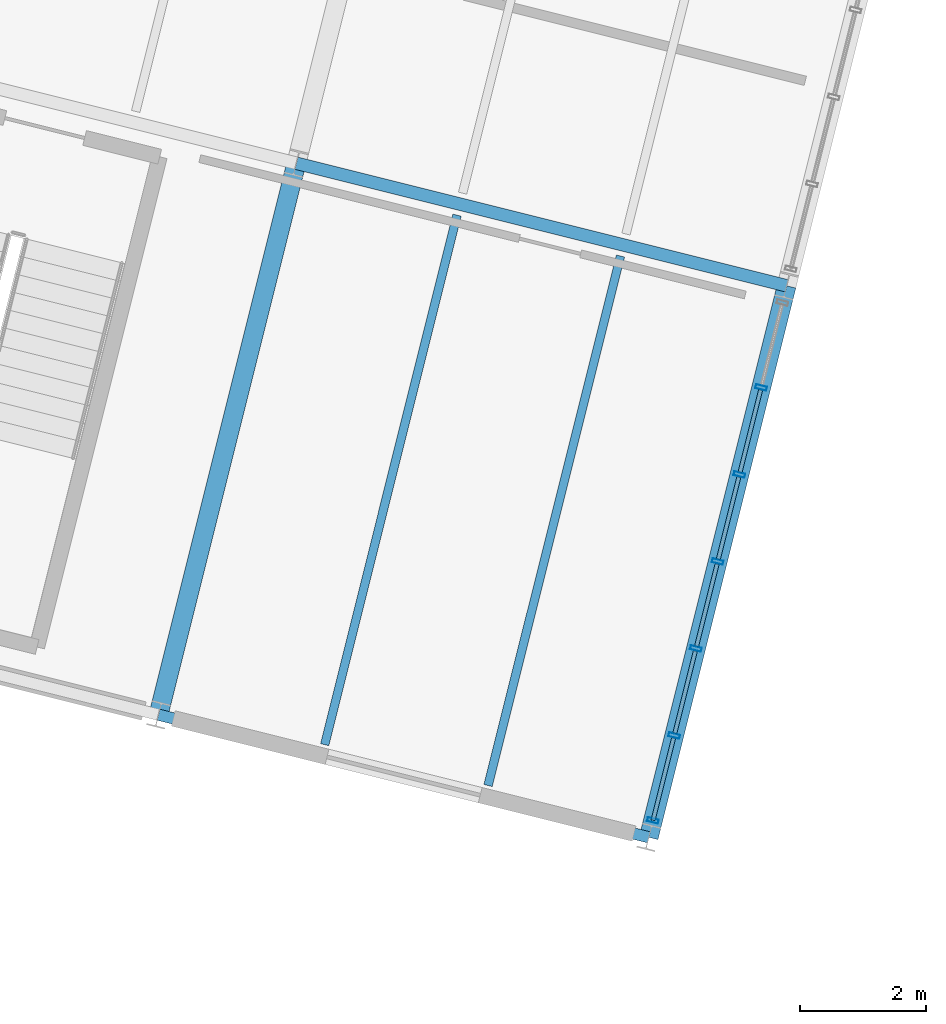
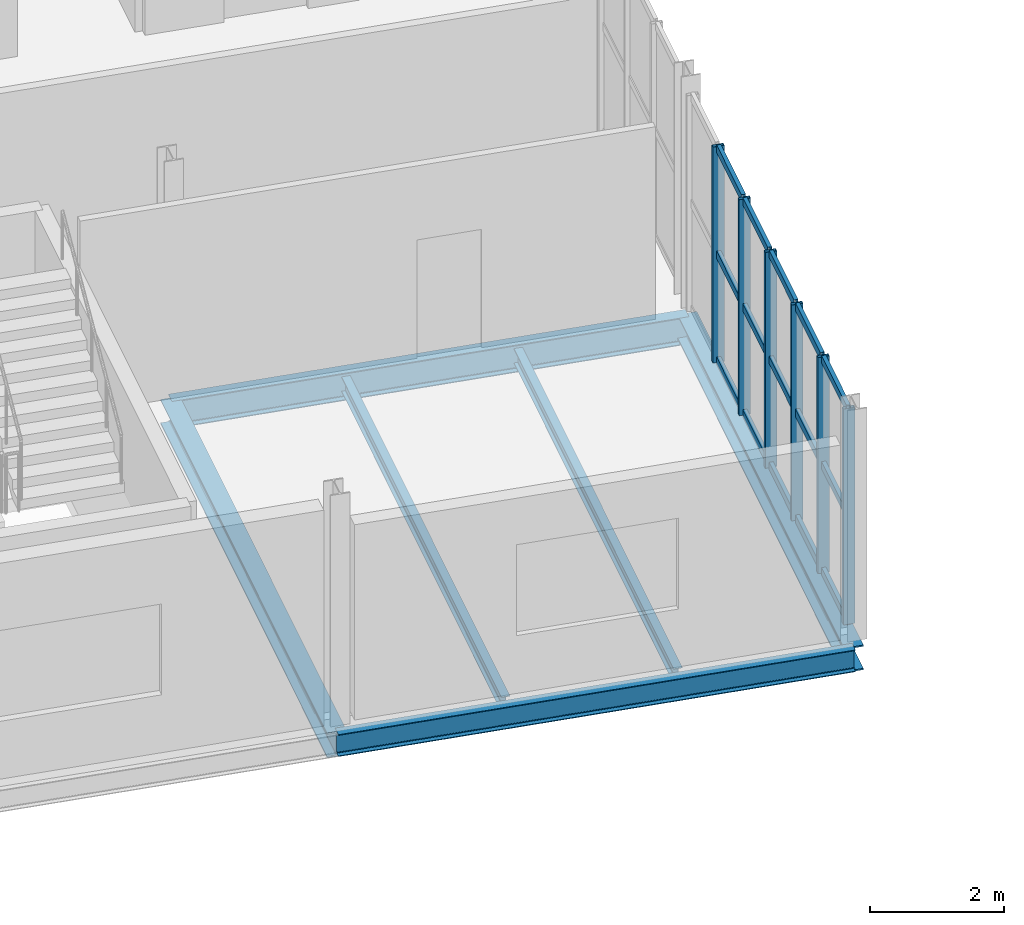
# One storey, part 34 of 61: 21 members, 6 beams, 1 element without a shape of its own.
"""IFC4 building model written with IfcOpenShell, lengths in metres."""

import ifcopenshell
import ifcopenshell.guid

model = None  # the IFC model being written
_history = None  # IfcOwnerHistory: only IFC2X3 demands one
_inside = {}  # id of a spatial element -> (the spatial element, [elements in it])
_under = {}  # id of a project, library or spatial element -> (it, [spatial elements below it])
_declared = {}  # id of a project -> (the project, [libraries it declares])
_typed = {}  # id of a type object -> (the type object, [elements of that type])
_made_of = {}  # id of a material, layer set ... -> (it, [elements and type objects made of it])


def new_model(schema):
    """Start an empty IFC model of exactly this schema.

    Asked for "IFC4X3", IfcOpenShell would pick the latest addendum, in which some entities
    have other attributes; the version numbers below select the first issue.
    IFC2X3 requires an IfcOwnerHistory on every rooted entity: one is made here for all.
    """
    global model, _history
    if schema == "IFC4X3":
        model = ifcopenshell.file(schema_version=(4, 3, 0, 0))
    else:
        model = ifcopenshell.file(schema=schema)
    _inside.clear()
    _under.clear()
    _declared.clear()
    _typed.clear()
    _made_of.clear()
    _history = None
    if model.schema == "IFC2X3":
        org = make("IfcOrganization", Name="unknown")
        user = make(
            "IfcPersonAndOrganization",
            ThePerson=make("IfcPerson", FamilyName="unknown"),
            TheOrganization=org,
        )
        app = make(
            "IfcApplication",
            ApplicationDeveloper=org,
            Version="unknown",
            ApplicationFullName="unknown",
            ApplicationIdentifier="unknown",
        )
        _history = make(
            "IfcOwnerHistory",
            OwningUser=user,
            OwningApplication=app,
            ChangeAction="ADDED",
            CreationDate=0,
        )
    return model


def make(cls, **values):
    """One entity of the class cls with the attributes given. An attribute that is None is left unset."""
    return model.create_entity(
        cls, **{name: value for name, value in values.items() if value is not None}
    )


def rooted(cls, **values):
    """An entity with a GlobalId (a new one), such as an element, a storey or a relation."""
    return make(cls, GlobalId=ifcopenshell.guid.new(), OwnerHistory=_history, **values)


def si_unit(unit_type, name, prefix=None):
    """IfcSIUnit, for example si_unit("LENGTHUNIT", "METRE", prefix="MILLI")."""
    return make("IfcSIUnit", UnitType=unit_type, Prefix=prefix, Name=name)


def derived_unit(unit_type, elements):
    """IfcDerivedUnit: a product of units, each with its exponent."""
    return make(
        "IfcDerivedUnit",
        Elements=[
            make("IfcDerivedUnitElement", Unit=unit, Exponent=power)
            for unit, power in elements
        ],
        UnitType=unit_type,
    )


def assignment(units):
    """IfcUnitAssignment: the units of a project."""
    return None if units is None else make("IfcUnitAssignment", Units=units)


def point(xyz):
    """IfcCartesianPoint."""
    return None if xyz is None else make("IfcCartesianPoint", Coordinates=xyz)


def direction(xyz):
    """IfcDirection."""
    return None if xyz is None else make("IfcDirection", DirectionRatios=xyz)


def frame(location, z_axis=None, x_axis=None):
    """IfcAxis2Placement3D, a coordinate frame: its origin and axes. An axis left out is left unset."""
    return make(
        "IfcAxis2Placement3D",
        Location=point(location),
        Axis=direction(z_axis),
        RefDirection=direction(x_axis),
    )


def frame_2d(location, x_axis=None):
    """IfcAxis2Placement2D, a coordinate frame in the plane: its origin and x axis."""
    return make(
        "IfcAxis2Placement2D", Location=point(location), RefDirection=direction(x_axis)
    )


def origin():
    """The frame at (0, 0, 0) with its axes left unset."""
    return frame((0.0, 0.0, 0.0))


def origin_2d():
    """The frame at (0, 0) in the plane with its x axis left unset."""
    return frame_2d((0.0, 0.0))


def place(relative_to, where):
    """IfcLocalPlacement: puts the frame where relative to a parent placement (None: the world)."""
    return make(
        "IfcLocalPlacement", PlacementRelTo=relative_to, RelativePlacement=where
    )


def context(
    kind, dimensions, precision=None, world=None, true_north=None, identifier=None
):
    """IfcGeometricRepresentationContext, for example the 3D "Model" context."""
    return make(
        "IfcGeometricRepresentationContext",
        ContextIdentifier=identifier,
        ContextType=kind,
        CoordinateSpaceDimension=dimensions,
        Precision=precision,
        WorldCoordinateSystem=world,
        TrueNorth=true_north,
    )


def subcontext(parent, identifier, kind, view, scale=None):
    """IfcGeometricRepresentationSubContext, for example "Body" below "Model"."""
    return make(
        "IfcGeometricRepresentationSubContext",
        ContextIdentifier=identifier,
        ContextType=kind,
        ParentContext=parent,
        TargetScale=scale,
        TargetView=view,
    )


def project(units=None, contexts=None):
    """IfcProject with its units and contexts."""
    return rooted(
        "IfcProject",
        Name="project",
        RepresentationContexts=contexts,
        UnitsInContext=assignment(units),
    )


def spatial(cls, under=None, at=None, **own):
    """A site, building, storey or space (cls), placed at a placement, below another one or the project."""
    s = rooted(cls, ObjectPlacement=at, **own)
    if under is not None:
        _under.setdefault(under.id(), (under, []))[1].append(s)
    return s


def profile(cls, at=None, kind="AREA", **sizes):
    """A parametric profile (cls). Its sizes go by their IFC names, for example OverallWidth=200.0."""
    return make(cls, ProfileType=kind, Position=at, **sizes)


def hollow_rectangle(**sizes):
    """IfcRectangleHollowProfileDef."""
    return profile("IfcRectangleHollowProfileDef", **sizes)


def i_section(**sizes):
    """IfcIShapeProfileDef."""
    return profile("IfcIShapeProfileDef", **sizes)


def extrude(swept, where, along, depth):
    """IfcExtrudedAreaSolid: the profile swept, set in the frame where, extruded along a direction by depth."""
    return make(
        "IfcExtrudedAreaSolid",
        SweptArea=swept,
        Position=where,
        ExtrudedDirection=direction(along),
        Depth=depth,
    )


def shape(context_of_items, identifier, shape_type, items):
    """IfcShapeRepresentation: the items that make up one representation, for example the "Body"."""
    return make(
        "IfcShapeRepresentation",
        ContextOfItems=context_of_items,
        RepresentationIdentifier=identifier,
        RepresentationType=shape_type,
        Items=items,
    )


def material(Name=None, Category=None):
    """IfcMaterial."""
    return make("IfcMaterial", Name=Name, Category=Category)


def material_profile(
    of_material, cross_section, Name=None, Category=None, Priority=None
):
    """IfcMaterialProfile: a cross section and its material."""
    return make(
        "IfcMaterialProfile",
        Name=Name,
        Material=of_material,
        Profile=cross_section,
        Priority=Priority,
        Category=Category,
    )


def profile_set(profiles, Name=None, composite=None):
    """IfcMaterialProfileSet."""
    return make(
        "IfcMaterialProfileSet",
        Name=Name,
        MaterialProfiles=profiles,
        CompositeProfile=composite,
    )


def made_of(thing, what):
    """Note that an element or type object is made of a material, layer set ...; save() writes the relation."""
    if what is not None:
        _made_of.setdefault(what.id(), (what, []))[1].append(thing)
    return thing


def type_object(cls, material=None, **own):
    """A type object (cls), such as IfcWallType, which elements share."""
    return made_of(rooted(cls, **own), material)


def element(
    cls,
    number,
    at=None,
    inside=None,
    cuts=None,
    type_object=None,
    material=None,
    context=None,
    identifier="Body",
    shape_type=None,
    held_by="IfcProductDefinitionShape",
    body=None,
    shapes=None,
    **own,
):
    """One element of the class cls, such as IfcWall. Its Tag is "e" and its number.

    at: its placement. inside: the storey or other place that contains it. cuts: it is an
    opening in that element (IfcRelVoidsElement). A single representation is given by context,
    identifier, shape_type and body (its items); several are given by shapes. held_by: the class
    of the entity that holds the representations. save() writes the other relations.
    """
    e = rooted(cls, Tag="e%d" % number, ObjectPlacement=at, **own)
    if body is not None:
        shapes = [shape(context, identifier, shape_type, body)]
    if shapes is not None:
        e.Representation = make(held_by, Representations=shapes)
    if inside is not None:
        _inside.setdefault(inside.id(), (inside, []))[1].append(e)
    if cuts is not None:
        rooted(
            "IfcRelVoidsElement", RelatingBuildingElement=cuts, RelatedOpeningElement=e
        )
    if type_object is not None:
        _typed.setdefault(type_object.id(), (type_object, []))[1].append(e)
    return made_of(e, material)


def aggregate(whole, parts):
    """IfcRelAggregates: a whole, such as a stair, and the parts it consists of."""
    return rooted("IfcRelAggregates", RelatingObject=whole, RelatedObjects=parts)


def save(model, path):
    """Write the relations noted so far, then the file.

    IfcRelAggregates (storeys below a building ...), IfcRelContainedInSpatialStructure (elements
    in a storey), IfcRelDefinesByType, IfcRelAssociatesMaterial and IfcRelDeclares: one each for
    every whole, place, type object, material and project.
    """
    for whole, parts in _under.values():
        aggregate(whole, parts)
    for where, things in _inside.values():
        rooted(
            "IfcRelContainedInSpatialStructure",
            RelatedElements=things,
            RelatingStructure=where,
        )
    for kind, things in _typed.values():
        rooted("IfcRelDefinesByType", RelatedObjects=things, RelatingType=kind)
    for what, things in _made_of.values():
        rooted("IfcRelAssociatesMaterial", RelatedObjects=things, RelatingMaterial=what)
    for by, libraries in _declared.values():
        rooted("IfcRelDeclares", RelatingContext=by, RelatedDefinitions=libraries)
    model.write(path)


model = new_model("IFC4")

# Units and contexts
model_context = context("Model", 3, precision=1e-05, world=origin(), true_north=direction((0.0, 1.0)))
body_context = subcontext(model_context, "Body", "Model", "MODEL_VIEW")
ifc_project = project(units=[si_unit("LENGTHUNIT", "METRE"), si_unit("AREAUNIT", "SQUARE_METRE"), si_unit("VOLUMEUNIT", "CUBIC_METRE"), si_unit("PLANEANGLEUNIT", "RADIAN"), si_unit("MASSUNIT", "GRAM", prefix="KILO"), si_unit("THERMODYNAMICTEMPERATUREUNIT", "KELVIN"), si_unit("TIMEUNIT", "SECOND"), derived_unit("THERMALTRANSMITTANCEUNIT", [(si_unit("MASSUNIT", "GRAM", prefix="KILO"), 1), (si_unit("THERMODYNAMICTEMPERATUREUNIT", "KELVIN"), -1), (si_unit("TIMEUNIT", "SECOND"), -3)])], contexts=[model_context])

# Site, building, storey
site_placement = place(None, origin())
site = spatial("IfcSite", under=ifc_project, at=site_placement, CompositionType="ELEMENT")
building_placement = place(site_placement, origin())
building = spatial("IfcBuilding", under=site, at=building_placement, Name="Cambertide Market Hall", CompositionType="ELEMENT")
storey_placement = place(building_placement, frame((0.0, 0.0, 9.89990234375)))
storey = spatial("IfcBuildingStorey", under=building, at=storey_placement, Name="L03", CompositionType="ELEMENT", Elevation=9.89990234375)

# Curtain wall, members
ifc_material_1 = material(Name="Marine Anodized Aluminium 6063-T6 AA25", Category="aluminium")
curtain_wall_type = type_object("IfcCurtainWallType", Name="Cooking School Classroom Curtain Wall", PredefinedType="USERDEFINED", material=ifc_material_1)
curtain_wall_placement = place(storey_placement, origin())
curtain_wall = element("IfcCurtainWall", 1, at=curtain_wall_placement, inside=storey, type_object=curtain_wall_type, Name="Level 3 Curtain Wall CW-V4E-L03-1", ObjectType="UNITIZED CURTAIN WALL", PredefinedType="USERDEFINED")
ifc_material_2 = material(Name="Champagne Marine Anodized Aluminium 6063-T6 AA25", Category="aluminium")
ifc_material_profile_1 = material_profile(ifc_material_2, hollow_rectangle(XDim=0.06494140625, YDim=0.179931640625, WallThickness=0.00390625, at=origin_2d()), Name="ALU MULLION 65x180")
ifc_profile_set_1 = profile_set([ifc_material_profile_1], Name="Champagne Marine Anodized Aluminium 6063-T6 AA25")
member_type_1 = type_object("IfcMemberType", Name="Curtain Wall Mullion ALU MULLION 65x180", PredefinedType="MULLION", material=ifc_profile_set_1)
member_1_placement = place(storey_placement, frame((171.869384765625, 91.5986328125, 0.0), z_axis=(0.0, 0.0, 1.0), x_axis=(-0.242535569805, -0.970142513953, 0.0)))
member_1 = element("IfcMember", 2, at=member_1_placement, type_object=member_type_1, Name="CW-V4E-L03-1 Mullion 2", PredefinedType="MULLION", context=body_context, shape_type="SweptSolid", body=[
    extrude(hollow_rectangle(XDim=0.06494140625, YDim=0.179931640625, WallThickness=0.00390625, at=origin_2d()), origin(), (0.0, 0.0, 1.0), 3.920166015625),
])
member_2_placement = place(storey_placement, frame((171.52490234375, 90.220947265625, 0.0), z_axis=(0.0, 0.0, 1.0), x_axis=(-0.242535569805, -0.970142513953, 0.0)))
member_2 = element("IfcMember", 3, at=member_2_placement, type_object=member_type_1, Name="CW-V4E-L03-1 Mullion 3", PredefinedType="MULLION", context=body_context, shape_type="SweptSolid", body=[
    extrude(hollow_rectangle(XDim=0.06494140625, YDim=0.179931640625, WallThickness=0.00390625, at=origin_2d()), origin(), (0.0, 0.0, 1.0), 3.920166015625),
])
member_3_placement = place(storey_placement, frame((171.180419921875, 88.84326171875, 0.0), z_axis=(0.0, 0.0, 1.0), x_axis=(-0.242535569805, -0.970142513953, 0.0)))
member_3 = element("IfcMember", 4, at=member_3_placement, type_object=member_type_1, Name="CW-V4E-L03-1 Mullion 4", PredefinedType="MULLION", context=body_context, shape_type="SweptSolid", body=[
    extrude(hollow_rectangle(XDim=0.06494140625, YDim=0.179931640625, WallThickness=0.00390625, at=origin_2d()), origin(), (0.0, 0.0, 1.0), 3.920166015625),
])
member_4_placement = place(storey_placement, frame((170.836181640625, 87.4658203125, 0.0), z_axis=(0.0, 0.0, 1.0), x_axis=(-0.242535569805, -0.970142513953, 0.0)))
member_4 = element("IfcMember", 5, at=member_4_placement, type_object=member_type_1, Name="CW-V4E-L03-1 Mullion 5", PredefinedType="MULLION", context=body_context, shape_type="SweptSolid", body=[
    extrude(hollow_rectangle(XDim=0.06494140625, YDim=0.179931640625, WallThickness=0.00390625, at=origin_2d()), origin(), (0.0, 0.0, 1.0), 3.920166015625),
])
member_5_placement = place(storey_placement, frame((170.49169921875, 86.088134765625, 0.0), z_axis=(0.0, 0.0, 1.0), x_axis=(-0.242535569805, -0.970142513953, 0.0)))
member_5 = element("IfcMember", 6, at=member_5_placement, type_object=member_type_1, Name="CW-V4E-L03-1 Mullion 6", PredefinedType="MULLION", context=body_context, shape_type="SweptSolid", body=[
    extrude(hollow_rectangle(XDim=0.06494140625, YDim=0.179931640625, WallThickness=0.00390625, at=origin_2d()), origin(), (0.0, 0.0, 1.0), 3.920166015625),
])
member_6_placement = place(storey_placement, frame((170.15576171875, 84.74462890625, 0.0), z_axis=(0.0, 0.0, 1.0), x_axis=(-0.242535569805, -0.970142513953, 0.0)))
member_6 = element("IfcMember", 7, at=member_6_placement, type_object=member_type_1, Name="CW-V4E-L03-1 Mullion 7", PredefinedType="MULLION", context=body_context, shape_type="SweptSolid", body=[
    extrude(hollow_rectangle(XDim=0.06494140625, YDim=0.179931640625, WallThickness=0.00390625, at=origin_2d()), origin(), (0.0, 0.0, 1.0), 3.920166015625),
])
ifc_material_3 = material(Name="Champagne Marine Anodized Aluminium 6063-T6 AA25", Category="aluminium")
ifc_material_profile_2 = material_profile(ifc_material_3, hollow_rectangle(XDim=0.06494140625, YDim=0.139892578125, WallThickness=0.00341796875, at=origin_2d()), Name="ALU TRANSOM 65x140")
ifc_profile_set_2 = profile_set([ifc_material_profile_2], Name="Champagne Marine Anodized Aluminium 6063-T6 AA25")
member_type_2 = type_object("IfcMemberType", Name="Curtain Wall Transom ALU TRANSOM 65x140", PredefinedType="USERDEFINED", material=ifc_profile_set_2)
member_7_placement = place(storey_placement, frame((171.859619140625, 91.559814453125, 0.03515625), z_axis=(-0.242492756941, -0.970153216163, 0.0), x_axis=(0.970153216163, -0.242492756941, 0.0)))
member_7 = element("IfcMember", 8, at=member_7_placement, type_object=member_type_2, Name="CW-V4E-L03-1 Transom 1-2", ObjectType="TRANSOM", PredefinedType="USERDEFINED", context=body_context, shape_type="SweptSolid", body=[
    extrude(hollow_rectangle(XDim=0.06494140625, YDim=0.139892578125, WallThickness=0.00341796875, at=origin_2d()), origin(), (0.0, 0.0, 1.0), 1.340087890625),
])
member_8_placement = place(storey_placement, frame((171.51513671875, 90.18212890625, 0.03515625), z_axis=(-0.242492756941, -0.970153216163, 0.0), x_axis=(0.970153216163, -0.242492756941, 0.0)))
member_8 = element("IfcMember", 9, at=member_8_placement, type_object=member_type_2, Name="CW-V4E-L03-1 Transom 1-3", ObjectType="TRANSOM", PredefinedType="USERDEFINED", context=body_context, shape_type="SweptSolid", body=[
    extrude(hollow_rectangle(XDim=0.06494140625, YDim=0.139892578125, WallThickness=0.00341796875, at=origin_2d()), origin(), (0.0, 0.0, 1.0), 1.340087890625),
])
member_9_placement = place(storey_placement, frame((171.1708984375, 88.804443359375, 0.03515625), z_axis=(-0.242535625036, -0.970142500145, 0.0), x_axis=(0.970142500145, -0.242535625036, 0.0)))
member_9 = element("IfcMember", 10, at=member_9_placement, type_object=member_type_2, Name="CW-V4E-L03-1 Transom 1-4", ObjectType="TRANSOM", PredefinedType="USERDEFINED", context=body_context, shape_type="SweptSolid", body=[
    extrude(hollow_rectangle(XDim=0.06494140625, YDim=0.139892578125, WallThickness=0.00341796875, at=origin_2d()), origin(), (0.0, 0.0, 1.0), 1.33984375),
])
member_10_placement = place(storey_placement, frame((170.826416015625, 87.427001953125, 0.03515625), z_axis=(-0.242492756941, -0.970153216163, 0.0), x_axis=(0.970153216163, -0.242492756941, 0.0)))
member_10 = element("IfcMember", 11, at=member_10_placement, type_object=member_type_2, Name="CW-V4E-L03-1 Transom 1-5", ObjectType="TRANSOM", PredefinedType="USERDEFINED", context=body_context, shape_type="SweptSolid", body=[
    extrude(hollow_rectangle(XDim=0.06494140625, YDim=0.139892578125, WallThickness=0.00341796875, at=origin_2d()), origin(), (0.0, 0.0, 1.0), 1.340087890625),
])
member_11_placement = place(storey_placement, frame((170.48193359375, 86.04931640625, 0.03515625), z_axis=(-0.242492756941, -0.970153216163, 0.0), x_axis=(0.970153216163, -0.242492756941, 0.0)))
member_11 = element("IfcMember", 12, at=member_11_placement, type_object=member_type_2, Name="CW-V4E-L03-1 Transom 1-6", ObjectType="TRANSOM", PredefinedType="USERDEFINED", context=body_context, shape_type="SweptSolid", body=[
    extrude(hollow_rectangle(XDim=0.06494140625, YDim=0.139892578125, WallThickness=0.00341796875, at=origin_2d()), origin(), (0.0, 0.0, 1.0), 1.340087890625),
])
member_12_placement = place(storey_placement, frame((171.859619140625, 91.559814453125, 1.960205078125), z_axis=(-0.242492756941, -0.970153216163, 0.0), x_axis=(0.970153216163, -0.242492756941, 0.0)))
member_12 = element("IfcMember", 13, at=member_12_placement, type_object=member_type_2, Name="CW-V4E-L03-1 Transom 2-2", ObjectType="TRANSOM", PredefinedType="USERDEFINED", context=body_context, shape_type="SweptSolid", body=[
    extrude(hollow_rectangle(XDim=0.06494140625, YDim=0.139892578125, WallThickness=0.00341796875, at=origin_2d()), origin(), (0.0, 0.0, 1.0), 1.340087890625),
])
member_13_placement = place(storey_placement, frame((171.51513671875, 90.18212890625, 1.960205078125), z_axis=(-0.242492756941, -0.970153216163, 0.0), x_axis=(0.970153216163, -0.242492756941, 0.0)))
member_13 = element("IfcMember", 14, at=member_13_placement, type_object=member_type_2, Name="CW-V4E-L03-1 Transom 2-3", ObjectType="TRANSOM", PredefinedType="USERDEFINED", context=body_context, shape_type="SweptSolid", body=[
    extrude(hollow_rectangle(XDim=0.06494140625, YDim=0.139892578125, WallThickness=0.00341796875, at=origin_2d()), origin(), (0.0, 0.0, 1.0), 1.340087890625),
])
member_14_placement = place(storey_placement, frame((171.1708984375, 88.804443359375, 1.960205078125), z_axis=(-0.242535625036, -0.970142500145, 0.0), x_axis=(0.970142500145, -0.242535625036, 0.0)))
member_14 = element("IfcMember", 15, at=member_14_placement, type_object=member_type_2, Name="CW-V4E-L03-1 Transom 2-4", ObjectType="TRANSOM", PredefinedType="USERDEFINED", context=body_context, shape_type="SweptSolid", body=[
    extrude(hollow_rectangle(XDim=0.06494140625, YDim=0.139892578125, WallThickness=0.00341796875, at=origin_2d()), origin(), (0.0, 0.0, 1.0), 1.33984375),
])
member_15_placement = place(storey_placement, frame((170.826416015625, 87.427001953125, 1.960205078125), z_axis=(-0.242492756941, -0.970153216163, 0.0), x_axis=(0.970153216163, -0.242492756941, 0.0)))
member_15 = element("IfcMember", 16, at=member_15_placement, type_object=member_type_2, Name="CW-V4E-L03-1 Transom 2-5", ObjectType="TRANSOM", PredefinedType="USERDEFINED", context=body_context, shape_type="SweptSolid", body=[
    extrude(hollow_rectangle(XDim=0.06494140625, YDim=0.139892578125, WallThickness=0.00341796875, at=origin_2d()), origin(), (0.0, 0.0, 1.0), 1.340087890625),
])
member_16_placement = place(storey_placement, frame((170.48193359375, 86.04931640625, 1.960205078125), z_axis=(-0.242492756941, -0.970153216163, 0.0), x_axis=(0.970153216163, -0.242492756941, 0.0)))
member_16 = element("IfcMember", 17, at=member_16_placement, type_object=member_type_2, Name="CW-V4E-L03-1 Transom 2-6", ObjectType="TRANSOM", PredefinedType="USERDEFINED", context=body_context, shape_type="SweptSolid", body=[
    extrude(hollow_rectangle(XDim=0.06494140625, YDim=0.139892578125, WallThickness=0.00341796875, at=origin_2d()), origin(), (0.0, 0.0, 1.0), 1.340087890625),
])
member_17_placement = place(storey_placement, frame((171.859619140625, 91.559814453125, 3.885009765625), z_axis=(-0.242492756941, -0.970153216163, 0.0), x_axis=(0.970153216163, -0.242492756941, 0.0)))
member_17 = element("IfcMember", 18, at=member_17_placement, type_object=member_type_2, Name="CW-V4E-L03-1 Transom 3-2", ObjectType="TRANSOM", PredefinedType="USERDEFINED", context=body_context, shape_type="SweptSolid", body=[
    extrude(hollow_rectangle(XDim=0.06494140625, YDim=0.139892578125, WallThickness=0.00341796875, at=origin_2d()), origin(), (0.0, 0.0, 1.0), 1.340087890625),
])
member_18_placement = place(storey_placement, frame((171.51513671875, 90.18212890625, 3.885009765625), z_axis=(-0.242492756941, -0.970153216163, 0.0), x_axis=(0.970153216163, -0.242492756941, 0.0)))
member_18 = element("IfcMember", 19, at=member_18_placement, type_object=member_type_2, Name="CW-V4E-L03-1 Transom 3-3", ObjectType="TRANSOM", PredefinedType="USERDEFINED", context=body_context, shape_type="SweptSolid", body=[
    extrude(hollow_rectangle(XDim=0.06494140625, YDim=0.139892578125, WallThickness=0.00341796875, at=origin_2d()), origin(), (0.0, 0.0, 1.0), 1.340087890625),
])
member_19_placement = place(storey_placement, frame((171.1708984375, 88.804443359375, 3.885009765625), z_axis=(-0.242535625036, -0.970142500145, 0.0), x_axis=(0.970142500145, -0.242535625036, 0.0)))
member_19 = element("IfcMember", 20, at=member_19_placement, type_object=member_type_2, Name="CW-V4E-L03-1 Transom 3-4", ObjectType="TRANSOM", PredefinedType="USERDEFINED", context=body_context, shape_type="SweptSolid", body=[
    extrude(hollow_rectangle(XDim=0.06494140625, YDim=0.139892578125, WallThickness=0.00341796875, at=origin_2d()), origin(), (0.0, 0.0, 1.0), 1.33984375),
])
member_20_placement = place(storey_placement, frame((170.826416015625, 87.427001953125, 3.885009765625), z_axis=(-0.242492756941, -0.970153216163, 0.0), x_axis=(0.970153216163, -0.242492756941, 0.0)))
member_20 = element("IfcMember", 21, at=member_20_placement, type_object=member_type_2, Name="CW-V4E-L03-1 Transom 3-5", ObjectType="TRANSOM", PredefinedType="USERDEFINED", context=body_context, shape_type="SweptSolid", body=[
    extrude(hollow_rectangle(XDim=0.06494140625, YDim=0.139892578125, WallThickness=0.00341796875, at=origin_2d()), origin(), (0.0, 0.0, 1.0), 1.340087890625),
])
member_21_placement = place(storey_placement, frame((170.48193359375, 86.04931640625, 3.885009765625), z_axis=(-0.242492756941, -0.970153216163, 0.0), x_axis=(0.970153216163, -0.242492756941, 0.0)))
member_21 = element("IfcMember", 22, at=member_21_placement, type_object=member_type_2, Name="CW-V4E-L03-1 Transom 3-6", ObjectType="TRANSOM", PredefinedType="USERDEFINED", context=body_context, shape_type="SweptSolid", body=[
    extrude(hollow_rectangle(XDim=0.06494140625, YDim=0.139892578125, WallThickness=0.00341796875, at=origin_2d()), origin(), (0.0, 0.0, 1.0), 1.340087890625),
])
aggregate(curtain_wall, [member_1, member_2, member_3, member_4, member_5, member_6, member_7, member_8, member_9, member_10, member_11, member_12, member_13, member_14, member_15, member_16, member_17, member_18, member_19, member_20, member_21])

# Beams
ifc_material_4 = material(Name="Steel S355", Category="steel")
ifc_material_profile_3 = material_profile(ifc_material_4, i_section(OverallWidth=0.179931640625, OverallDepth=0.39990234375, WebThickness=0.008544921875, FlangeThickness=0.013427734375, FilletRadius=0.02099609375, at=origin_2d()), Name="IPE 400")
ifc_profile_set_3 = profile_set([ifc_material_profile_3], Name="Steel S355")
beam_type_1 = type_object("IfcBeamType", Name="Perimeter Spandrel Beam IPE 400", PredefinedType="SPANDREL", material=ifc_profile_set_3)
beam_1_placement = place(storey_placement, frame((162.327880859375, 86.41796875, -0.44482421875), z_axis=(0.970146090314, -0.242521263911, 0.0), x_axis=(0.242521263911, 0.970146090314, 0.0)))
element("IfcBeam", 23, at=beam_1_placement, inside=storey, type_object=beam_type_1, Name="Level 3 Spandrel BM-V4U-L03-8-1", PredefinedType="SPANDREL", context=body_context, shape_type="SweptSolid", body=[
    extrude(i_section(OverallWidth=0.179931640625, OverallDepth=0.39990234375, WebThickness=0.008544921875, FlangeThickness=0.013427734375, FilletRadius=0.02099609375, at=origin_2d()), origin(), (0.0, 0.0, 1.0), 8.0),
])
ifc_material_5 = material(Name="Steel S355", Category="steel")
ifc_material_profile_4 = material_profile(ifc_material_5, i_section(OverallWidth=0.300048828125, OverallDepth=0.449951171875, WebThickness=0.013916015625, FlangeThickness=0.02587890625, FilletRadius=0.027099609375, at=origin_2d()), Name="HEB 450")
ifc_profile_set_4 = profile_set([ifc_material_profile_4], Name="Steel S355")
beam_type_2 = type_object("IfcBeamType", Name="Steel Girder HEB 450", PredefinedType="BEAM", material=ifc_profile_set_4)
for number, where, z_axis, x_axis, name in (
    (24, (162.327880859375, 86.41796875, -0.469970703125), (0.242542007841, 0.970140904422, 0.0), (-0.970140904422, 0.242542007841, 0.0), "Level 3 Beam BM-V4V-L03-8-1"),
    (25, (170.089111328125, 84.477783203125, -0.469970703125), (0.242542007841, 0.970140904422, 0.0), (-0.970140904422, 0.242542007841, 0.0), "Level 3 Beam BM-V4V-L03-9-1"),
):
    element("IfcBeam", number, at=place(storey_placement, frame(where, z_axis=z_axis, x_axis=x_axis)), inside=storey, type_object=beam_type_2, Name=name, PredefinedType="BEAM", context=body_context, shape_type="SweptSolid", body=[
        extrude(i_section(OverallWidth=0.300048828125, OverallDepth=0.449951171875, WebThickness=0.013916015625, FlangeThickness=0.02587890625, FilletRadius=0.027099609375, at=origin_2d()), origin(), (0.0, 0.0, 1.0), 9.0),
    ])
ifc_material_6 = material(Name="Steel S355", Category="steel")
ifc_material_profile_5 = material_profile(ifc_material_6, i_section(OverallWidth=0.199951171875, OverallDepth=0.5, WebThickness=0.01025390625, FlangeThickness=0.01611328125, FilletRadius=0.02099609375, at=origin_2d()), Name="IPE 500")
ifc_profile_set_5 = profile_set([ifc_material_profile_5], Name="Steel S355")
beam_type_3 = type_object("IfcBeamType", Name="Steel Girder IPE 500", PredefinedType="BEAM", material=ifc_profile_set_5)
beam_2_placement = place(storey_placement, frame((164.5107421875, 95.149169921875, -0.494873046875), z_axis=(0.970146090314, -0.242521263911, 0.0), x_axis=(0.242521263911, 0.970146090314, 0.0)))
element("IfcBeam", 26, at=beam_2_placement, inside=storey, type_object=beam_type_3, Name="Level 3 Beam BM-V4U-L03-8-2", PredefinedType="BEAM", context=body_context, shape_type="SweptSolid", body=[
    extrude(i_section(OverallWidth=0.199951171875, OverallDepth=0.5, WebThickness=0.01025390625, FlangeThickness=0.01611328125, FilletRadius=0.02099609375, at=origin_2d()), origin(), (0.0, 0.0, 1.0), 8.0),
])
ifc_material_7 = material(Name="Steel S275", Category="steel")
ifc_material_profile_6 = material_profile(ifc_material_7, i_section(OverallWidth=0.135009765625, OverallDepth=0.27001953125, WebThickness=0.006591796875, FlangeThickness=0.01025390625, FilletRadius=0.014892578125, at=origin_2d()), Name="IPE 270")
ifc_profile_set_6 = profile_set([ifc_material_profile_6], Name="Steel S275")
beam_type_4 = type_object("IfcBeamType", Name="Steel Secondary Joist IPE 270", PredefinedType="JOIST", material=ifc_profile_set_6)
for number, where, z_axis, x_axis, name in (
    (27, (164.958740234375, 85.94580078125, -0.3798828125), (0.242528976348, 0.970144162293, 0.0), (-0.970144162293, 0.242528976348, 0.0), "Level 3 Joist JS-V4-L03-8-1-1"),
    (28, (167.545654296875, 85.299072265625, -0.3798828125), (0.242555570896, 0.970137513463, 0.0), (-0.970137513463, 0.242555570896, 0.0), "Level 3 Joist JS-V4-L03-8-1-2"),
):
    element("IfcBeam", number, at=place(storey_placement, frame(where, z_axis=z_axis, x_axis=x_axis)), inside=storey, type_object=beam_type_4, Name=name, PredefinedType="JOIST", context=body_context, shape_type="SweptSolid", body=[
        extrude(i_section(OverallWidth=0.135009765625, OverallDepth=0.27001953125, WebThickness=0.006591796875, FlangeThickness=0.01025390625, FilletRadius=0.014892578125, at=origin_2d()), origin(), (0.0, 0.0, 1.0), 8.64013671875),
    ])

save(model, "model.ifc")
